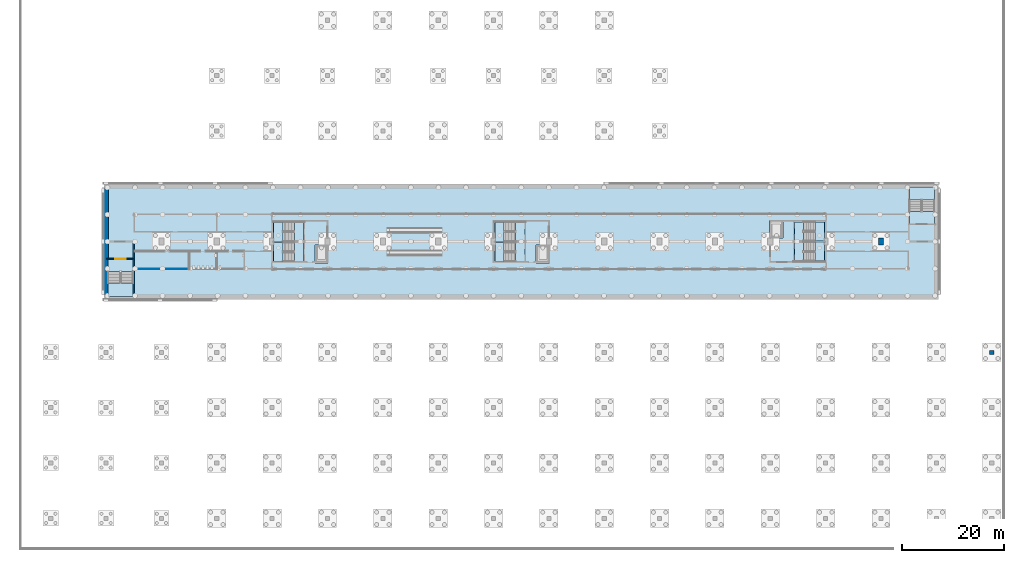
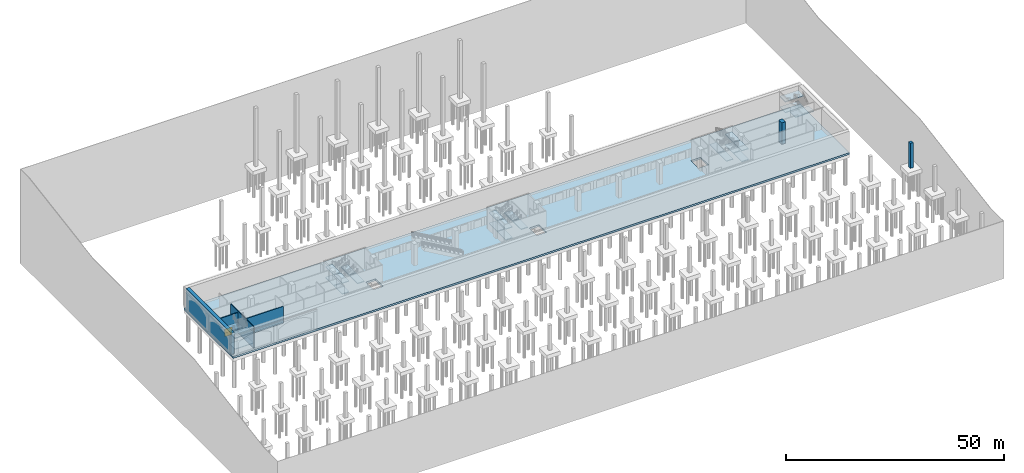
# One storey, part 5 of 39: 25 slabs, 4 walls, 2 columns, 1 door, 1 opening, 8 elements without a shape of their own.
"""IFC4 building model written with IfcOpenShell, lengths in metres."""

from ifc_helpers import new_model, si_unit, direction, frame, frame_2d, origin, origin_2d, place, context, subcontext, project, spatial, polyline, rectangle, outline, extrude, material, layer, layer_set, material_profile, profile_set, type_object, element, fill, aggregate, save


model = new_model("IFC4")

# Units and contexts
model_context = context("Model", 3, precision=1e-05, world=origin(), true_north=direction((0.0, 1.0)))
body_context = subcontext(model_context, "Body", "Model", "MODEL_VIEW")
ifc_project = project(units=[si_unit("LENGTHUNIT", "METRE"), si_unit("AREAUNIT", "SQUARE_METRE"), si_unit("VOLUMEUNIT", "CUBIC_METRE"), si_unit("PLANEANGLEUNIT", "RADIAN"), si_unit("MASSUNIT", "GRAM", prefix="KILO")], contexts=[model_context])

# Site, building, storey
site_placement = place(None, origin())
site = spatial("IfcSite", under=ifc_project, at=site_placement, CompositionType="ELEMENT")
building_placement = place(site_placement, origin())
building = spatial("IfcBuilding", under=site, at=building_placement, Name="Magnolia Steps Interchange", CompositionType="ELEMENT")
storey_placement = place(building_placement, frame((0.0, 0.0, -11.39990234375)))
storey = spatial("IfcBuildingStorey", under=building, at=storey_placement, Name="B2", CompositionType="ELEMENT", Elevation=-11.39990234375)

# Columns
ifc_material_1 = material(Name="Concrete C40", Category="concrete")
ifc_material_profile_1 = material_profile(ifc_material_1, rectangle(XDim=0.800048828125, YDim=0.800048828125, at=origin_2d()), Name="RC800x800")
ifc_profile_set_1 = profile_set([ifc_material_profile_1], Name="Concrete C40")
column_type_1 = type_object("IfcColumnType", Name="Foundation pier 800x800", PredefinedType="COLUMN", material=ifc_profile_set_1)
column_1_placement = place(storey_placement, frame((193.60009765625, 42.39990234375, -1.400146484375), z_axis=(0.0, 0.0, 1.0), x_axis=(1.0, 0.0, 0.0)))
element("IfcColumn", 1, at=column_1_placement, inside=storey, type_object=column_type_1, Name="Foundation pier COV-18D", PredefinedType="COLUMN", context=body_context, shape_type="SweptSolid", body=[
    extrude(rectangle(XDim=0.800048828125, YDim=0.800048828125, at=origin_2d()), origin(), (0.0, 0.0, 1.0), 7.0),
])
ifc_material_2 = material(Name="Concrete C40", Category="concrete")
ifc_material_profile_2 = material_profile(ifc_material_2, rectangle(XDim=1.0, YDim=1.39990234375, at=origin_2d()), Name="RC1000x1400")
ifc_profile_set_2 = profile_set([ifc_material_profile_2], Name="Concrete C40")
column_type_2 = type_object("IfcColumnType", Name="RC column 1000x1400", PredefinedType="COLUMN", material=ifc_profile_set_2)
column_2_placement = place(storey_placement, frame((172.0, 64.0, -1.400146484375), z_axis=(0.0, 0.0, 1.0), x_axis=(1.0, 0.0, 0.0)))
element("IfcColumn", 2, at=column_2_placement, inside=storey, type_object=column_type_2, Name="Column MET-16F B2", PredefinedType="COLUMN", context=body_context, shape_type="SweptSolid", body=[
    extrude(rectangle(XDim=1.0, YDim=1.39990234375, at=origin_2d()), origin(), (0.0, 0.0, 1.0), 7.400146484375),
])

# Slab
ifc_material_3 = material(Name="Concrete C40", Category="concrete")
ifc_layer_1 = layer(ifc_material_3, 0.5)
ifc_layer_set_1 = layer_set([ifc_layer_1], Name="Base slab 500")
slab_type_1 = type_object("IfcSlabType", Name="Base slab 500", PredefinedType="BASESLAB", material=ifc_layer_set_1)
slab_1_placement = place(storey_placement, frame((0.0, 0.0, -0.5)))
element("IfcSlab", 3, at=slab_1_placement, inside=storey, type_object=slab_type_1, Name="Metro box base slab", PredefinedType="BASESLAB", context=body_context, shape_type="SweptSolid", body=[
    extrude(outline(polyline([(20.35009765625, 52.75), (183.25, 52.75), (183.25, 75.25), (20.35009765625, 75.25), (20.35009765625, 52.75)]), holes=[polyline([(64.125, 63.324951171875), (61.52490234375, 63.324951171875), (61.52490234375, 59.875), (64.125, 59.875), (64.125, 63.324951171875)]), polyline([(107.324951171875, 63.324951171875), (104.72509765625, 63.324951171875), (104.72509765625, 59.875), (107.324951171875, 59.875), (107.324951171875, 63.324951171875)]), polyline([(150.27490234375, 64.675048828125), (152.875, 64.675048828125), (152.875, 68.125), (150.27490234375, 68.125), (150.27490234375, 64.675048828125)])]), origin(), (0.0, 0.0, 1.0), 0.5),
])

# Stair, slabs
ifc_material_4 = material(Name="Concrete C40", Category="concrete")
stair_type_1 = type_object("IfcStairType", Name="Exit stair 1800", PredefinedType="HALF_TURN_STAIR", material=ifc_material_4)
stair_1_placement = place(storey_placement, origin())
stair_1 = element("IfcStair", 4, at=stair_1_placement, inside=storey, type_object=stair_type_1, Name="B2 Stair 9", PredefinedType="HALF_TURN_STAIR")
ifc_material_5 = material(Name="Concrete C40", Category="concrete")
ifc_layer_2 = layer(ifc_material_5, 0.199951171875)
ifc_layer_set_2 = layer_set([ifc_layer_2], Name="Exit stair landing 200")
slab_type_2 = type_object("IfcSlabType", Name="Exit stair landing 200", PredefinedType="LANDING", material=ifc_layer_set_2)
slab_2_placement = place(storey_placement, frame((0.0, 0.0, 1.2998046875)))
slab_2 = element("IfcSlab", 5, at=slab_2_placement, type_object=slab_type_2, Name="Stair 9 landing 1", PredefinedType="LANDING", context=body_context, shape_type="SweptSolid", body=[
    extrude(outline(polyline([(55.284912109375, 63.875), (55.284912109375, 60.125), (53.449951171875, 60.125), (53.449951171875, 63.875), (55.284912109375, 63.875)])), origin(), (0.0, 0.0, 1.0), 0.2001953125),
])
slab_3_placement = place(storey_placement, frame((0.0, 0.0, 2.7998046875)))
slab_3 = element("IfcSlab", 6, at=slab_3_placement, type_object=slab_type_2, Name="Stair 9 landing 2", PredefinedType="LANDING", context=body_context, shape_type="SweptSolid", body=[
    extrude(outline(polyline([(59.324951171875, 63.875), (57.52490234375, 63.875), (57.52490234375, 60.125), (59.324951171875, 60.125), (59.324951171875, 63.875)])), origin(), (0.0, 0.0, 1.0), 0.2001953125),
])
slab_4_placement = place(storey_placement, frame((0.0, 0.0, 4.2998046875)))
slab_4 = element("IfcSlab", 7, at=slab_4_placement, type_object=slab_type_2, Name="Stair 9 landing 3", PredefinedType="LANDING", context=body_context, shape_type="SweptSolid", body=[
    extrude(outline(polyline([(55.284912109375, 63.875), (55.284912109375, 60.125), (53.449951171875, 60.125), (53.449951171875, 63.875), (55.284912109375, 63.875)])), origin(), (0.0, 0.0, 1.0), 0.2001953125),
])
aggregate(stair_1, [slab_2, slab_3, slab_4])

stair_2_placement = place(storey_placement, origin())
stair_2 = element("IfcStair", 8, at=stair_2_placement, inside=storey, type_object=stair_type_1, Name="B2 Stair 10", PredefinedType="HALF_TURN_STAIR")
slab_5_placement = place(storey_placement, frame((0.0, 0.0, 1.2998046875)))
slab_5 = element("IfcSlab", 9, at=slab_5_placement, type_object=slab_type_2, Name="Stair 10 landing 1", PredefinedType="LANDING", context=body_context, shape_type="SweptSolid", body=[
    extrude(outline(polyline([(55.284912109375, 67.824951171875), (55.284912109375, 64.074951171875), (53.449951171875, 64.074951171875), (53.449951171875, 67.824951171875), (55.284912109375, 67.824951171875)])), origin(), (0.0, 0.0, 1.0), 0.2001953125),
])
slab_6_placement = place(storey_placement, frame((0.0, 0.0, 2.7998046875)))
slab_6 = element("IfcSlab", 10, at=slab_6_placement, type_object=slab_type_2, Name="Stair 10 landing 2", PredefinedType="LANDING", context=body_context, shape_type="SweptSolid", body=[
    extrude(outline(polyline([(59.324951171875, 67.824951171875), (57.52490234375, 67.824951171875), (57.52490234375, 64.074951171875), (59.324951171875, 64.074951171875), (59.324951171875, 67.824951171875)])), origin(), (0.0, 0.0, 1.0), 0.2001953125),
])
slab_7_placement = place(storey_placement, frame((0.0, 0.0, 4.2998046875)))
slab_7 = element("IfcSlab", 11, at=slab_7_placement, type_object=slab_type_2, Name="Stair 10 landing 3", PredefinedType="LANDING", context=body_context, shape_type="SweptSolid", body=[
    extrude(outline(polyline([(55.284912109375, 67.824951171875), (55.284912109375, 64.074951171875), (53.449951171875, 64.074951171875), (53.449951171875, 67.824951171875), (55.284912109375, 67.824951171875)])), origin(), (0.0, 0.0, 1.0), 0.2001953125),
])
aggregate(stair_2, [slab_5, slab_6, slab_7])

stair_3_placement = place(storey_placement, origin())
stair_3 = element("IfcStair", 12, at=stair_3_placement, inside=storey, type_object=stair_type_1, Name="B2 Stair 11", PredefinedType="HALF_TURN_STAIR")
slab_8_placement = place(storey_placement, frame((0.0, 0.0, 1.2998046875)))
slab_8 = element("IfcSlab", 13, at=slab_8_placement, type_object=slab_type_2, Name="Stair 11 landing 1", PredefinedType="LANDING", context=body_context, shape_type="SweptSolid", body=[
    extrude(outline(polyline([(98.485107421875, 63.875), (98.485107421875, 60.125), (96.64990234375, 60.125), (96.64990234375, 63.875), (98.485107421875, 63.875)])), origin(), (0.0, 0.0, 1.0), 0.2001953125),
])
slab_9_placement = place(storey_placement, frame((0.0, 0.0, 2.7998046875)))
slab_9 = element("IfcSlab", 14, at=slab_9_placement, type_object=slab_type_2, Name="Stair 11 landing 2", PredefinedType="LANDING", context=body_context, shape_type="SweptSolid", body=[
    extrude(outline(polyline([(102.52490234375, 63.875), (100.72509765625, 63.875), (100.72509765625, 60.125), (102.52490234375, 60.125), (102.52490234375, 63.875)])), origin(), (0.0, 0.0, 1.0), 0.2001953125),
])
slab_10_placement = place(storey_placement, frame((0.0, 0.0, 4.2998046875)))
slab_10 = element("IfcSlab", 15, at=slab_10_placement, type_object=slab_type_2, Name="Stair 11 landing 3", PredefinedType="LANDING", context=body_context, shape_type="SweptSolid", body=[
    extrude(outline(polyline([(98.485107421875, 63.875), (98.485107421875, 60.125), (96.64990234375, 60.125), (96.64990234375, 63.875), (98.485107421875, 63.875)])), origin(), (0.0, 0.0, 1.0), 0.2001953125),
])
aggregate(stair_3, [slab_8, slab_9, slab_10])

stair_4_placement = place(storey_placement, origin())
stair_4 = element("IfcStair", 16, at=stair_4_placement, inside=storey, type_object=stair_type_1, Name="B2 Stair 12", PredefinedType="HALF_TURN_STAIR")
slab_11_placement = place(storey_placement, frame((0.0, 0.0, 1.2998046875)))
slab_11 = element("IfcSlab", 17, at=slab_11_placement, type_object=slab_type_2, Name="Stair 12 landing 1", PredefinedType="LANDING", context=body_context, shape_type="SweptSolid", body=[
    extrude(outline(polyline([(98.485107421875, 67.824951171875), (98.485107421875, 64.074951171875), (96.64990234375, 64.074951171875), (96.64990234375, 67.824951171875), (98.485107421875, 67.824951171875)])), origin(), (0.0, 0.0, 1.0), 0.2001953125),
])
slab_12_placement = place(storey_placement, frame((0.0, 0.0, 2.7998046875)))
slab_12 = element("IfcSlab", 18, at=slab_12_placement, type_object=slab_type_2, Name="Stair 12 landing 2", PredefinedType="LANDING", context=body_context, shape_type="SweptSolid", body=[
    extrude(outline(polyline([(102.52490234375, 67.824951171875), (100.72509765625, 67.824951171875), (100.72509765625, 64.074951171875), (102.52490234375, 64.074951171875), (102.52490234375, 67.824951171875)])), origin(), (0.0, 0.0, 1.0), 0.2001953125),
])
slab_13_placement = place(storey_placement, frame((0.0, 0.0, 4.2998046875)))
slab_13 = element("IfcSlab", 19, at=slab_13_placement, type_object=slab_type_2, Name="Stair 12 landing 3", PredefinedType="LANDING", context=body_context, shape_type="SweptSolid", body=[
    extrude(outline(polyline([(98.485107421875, 67.824951171875), (98.485107421875, 64.074951171875), (96.64990234375, 64.074951171875), (96.64990234375, 67.824951171875), (98.485107421875, 67.824951171875)])), origin(), (0.0, 0.0, 1.0), 0.2001953125),
])
aggregate(stair_4, [slab_11, slab_12, slab_13])

stair_5_placement = place(storey_placement, origin())
stair_5 = element("IfcStair", 20, at=stair_5_placement, inside=storey, type_object=stair_type_1, Name="B2 Stair 13", PredefinedType="HALF_TURN_STAIR")
slab_14_placement = place(storey_placement, frame((0.0, 0.0, 1.2998046875)))
slab_14 = element("IfcSlab", 21, at=slab_14_placement, type_object=slab_type_2, Name="Stair 13 landing 1", PredefinedType="LANDING", context=body_context, shape_type="SweptSolid", body=[
    extrude(outline(polyline([(159.114990234375, 64.125), (159.114990234375, 67.875), (160.949951171875, 67.875), (160.949951171875, 64.125), (159.114990234375, 64.125)])), origin(), (0.0, 0.0, 1.0), 0.2001953125),
])
slab_15_placement = place(storey_placement, frame((0.0, 0.0, 2.7998046875)))
slab_15 = element("IfcSlab", 22, at=slab_15_placement, type_object=slab_type_2, Name="Stair 13 landing 2", PredefinedType="LANDING", context=body_context, shape_type="SweptSolid", body=[
    extrude(outline(polyline([(155.074951171875, 64.125), (156.875, 64.125), (156.875, 67.875), (155.074951171875, 67.875), (155.074951171875, 64.125)])), origin(), (0.0, 0.0, 1.0), 0.2001953125),
])
slab_16_placement = place(storey_placement, frame((0.0, 0.0, 4.2998046875)))
slab_16 = element("IfcSlab", 23, at=slab_16_placement, type_object=slab_type_2, Name="Stair 13 landing 3", PredefinedType="LANDING", context=body_context, shape_type="SweptSolid", body=[
    extrude(outline(polyline([(159.114990234375, 64.125), (159.114990234375, 67.875), (160.949951171875, 67.875), (160.949951171875, 64.125), (159.114990234375, 64.125)])), origin(), (0.0, 0.0, 1.0), 0.2001953125),
])
aggregate(stair_5, [slab_14, slab_15, slab_16])

stair_6_placement = place(storey_placement, origin())
stair_6 = element("IfcStair", 24, at=stair_6_placement, inside=storey, type_object=stair_type_1, Name="B2 Stair 14", PredefinedType="HALF_TURN_STAIR")
slab_17_placement = place(storey_placement, frame((0.0, 0.0, 1.2998046875)))
slab_17 = element("IfcSlab", 25, at=slab_17_placement, type_object=slab_type_2, Name="Stair 14 landing 1", PredefinedType="LANDING", context=body_context, shape_type="SweptSolid", body=[
    extrude(outline(polyline([(159.114990234375, 60.175048828125), (159.114990234375, 63.925048828125), (160.949951171875, 63.925048828125), (160.949951171875, 60.175048828125), (159.114990234375, 60.175048828125)])), origin(), (0.0, 0.0, 1.0), 0.2001953125),
])
slab_18_placement = place(storey_placement, frame((0.0, 0.0, 2.7998046875)))
slab_18 = element("IfcSlab", 26, at=slab_18_placement, type_object=slab_type_2, Name="Stair 14 landing 2", PredefinedType="LANDING", context=body_context, shape_type="SweptSolid", body=[
    extrude(outline(polyline([(155.074951171875, 60.175048828125), (156.875, 60.175048828125), (156.875, 63.925048828125), (155.074951171875, 63.925048828125), (155.074951171875, 60.175048828125)])), origin(), (0.0, 0.0, 1.0), 0.2001953125),
])
slab_19_placement = place(storey_placement, frame((0.0, 0.0, 4.2998046875)))
slab_19 = element("IfcSlab", 27, at=slab_19_placement, type_object=slab_type_2, Name="Stair 14 landing 3", PredefinedType="LANDING", context=body_context, shape_type="SweptSolid", body=[
    extrude(outline(polyline([(159.114990234375, 60.175048828125), (159.114990234375, 63.925048828125), (160.949951171875, 63.925048828125), (160.949951171875, 60.175048828125), (159.114990234375, 60.175048828125)])), origin(), (0.0, 0.0, 1.0), 0.2001953125),
])
aggregate(stair_6, [slab_17, slab_18, slab_19])

ifc_material_6 = material(Name="Concrete C40", Category="concrete")
stair_type_2 = type_object("IfcStairType", Name="Exit stair 2400", PredefinedType="HALF_TURN_STAIR", material=ifc_material_6)
stair_7_placement = place(storey_placement, origin())
stair_7 = element("IfcStair", 28, at=stair_7_placement, inside=storey, type_object=stair_type_2, Name="B2 Stair 15", PredefinedType="HALF_TURN_STAIR")
slab_20_placement = place(storey_placement, frame((0.0, 0.0, 1.2998046875)))
slab_20 = element("IfcSlab", 29, at=slab_20_placement, type_object=slab_type_2, Name="Stair 15 landing 1", PredefinedType="LANDING", context=body_context, shape_type="SweptSolid", body=[
    extrude(outline(polyline([(21.175048828125, 55.885009765625), (21.175048828125, 53.324951171875), (26.074951171875, 53.324951171875), (26.074951171875, 55.885009765625), (21.175048828125, 55.885009765625)])), origin(), (0.0, 0.0, 1.0), 0.2001953125),
])
slab_21_placement = place(storey_placement, frame((0.0, 0.0, 2.7998046875)))
slab_21 = element("IfcSlab", 30, at=slab_21_placement, type_object=slab_type_2, Name="Stair 15 landing 2", PredefinedType="LANDING", context=body_context, shape_type="SweptSolid", body=[
    extrude(outline(polyline([(21.175048828125, 60.52490234375), (21.175048828125, 58.125), (26.074951171875, 58.125), (26.074951171875, 60.52490234375), (21.175048828125, 60.52490234375)])), origin(), (0.0, 0.0, 1.0), 0.2001953125),
])
slab_22_placement = place(storey_placement, frame((0.0, 0.0, 4.2998046875)))
slab_22 = element("IfcSlab", 31, at=slab_22_placement, type_object=slab_type_2, Name="Stair 15 landing 3", PredefinedType="LANDING", context=body_context, shape_type="SweptSolid", body=[
    extrude(outline(polyline([(21.175048828125, 55.885009765625), (21.175048828125, 53.324951171875), (26.074951171875, 53.324951171875), (26.074951171875, 55.885009765625), (21.175048828125, 55.885009765625)])), origin(), (0.0, 0.0, 1.0), 0.2001953125),
])
aggregate(stair_7, [slab_20, slab_21, slab_22])

stair_8_placement = place(storey_placement, origin())
stair_8 = element("IfcStair", 32, at=stair_8_placement, inside=storey, type_object=stair_type_2, Name="B2 Stair 16", PredefinedType="HALF_TURN_STAIR")
slab_23_placement = place(storey_placement, frame((0.0, 0.0, 1.2998046875)))
slab_23 = element("IfcSlab", 33, at=slab_23_placement, type_object=slab_type_2, Name="Stair 16 landing 1", PredefinedType="LANDING", context=body_context, shape_type="SweptSolid", body=[
    extrude(outline(polyline([(182.425048828125, 72.114990234375), (182.425048828125, 74.675048828125), (177.52490234375, 74.675048828125), (177.52490234375, 72.114990234375), (182.425048828125, 72.114990234375)])), origin(), (0.0, 0.0, 1.0), 0.2001953125),
])
slab_24_placement = place(storey_placement, frame((0.0, 0.0, 2.7998046875)))
slab_24 = element("IfcSlab", 34, at=slab_24_placement, type_object=slab_type_2, Name="Stair 16 landing 2", PredefinedType="LANDING", context=body_context, shape_type="SweptSolid", body=[
    extrude(outline(polyline([(182.425048828125, 67.47509765625), (182.425048828125, 69.875), (177.52490234375, 69.875), (177.52490234375, 67.47509765625), (182.425048828125, 67.47509765625)])), origin(), (0.0, 0.0, 1.0), 0.2001953125),
])
slab_25_placement = place(storey_placement, frame((0.0, 0.0, 4.2998046875)))
slab_25 = element("IfcSlab", 35, at=slab_25_placement, type_object=slab_type_2, Name="Stair 16 landing 3", PredefinedType="LANDING", context=body_context, shape_type="SweptSolid", body=[
    extrude(outline(polyline([(182.425048828125, 72.114990234375), (182.425048828125, 74.675048828125), (177.52490234375, 74.675048828125), (177.52490234375, 72.114990234375), (182.425048828125, 72.114990234375)])), origin(), (0.0, 0.0, 1.0), 0.2001953125),
])
aggregate(stair_8, [slab_23, slab_24, slab_25])

# Wall, opening, door
ifc_material_7 = material(Name="Concrete C35", Category="concrete")
ifc_layer_3 = layer(ifc_material_7, 0.199951171875)
ifc_layer_set_3 = layer_set([ifc_layer_3], Name="Core enclosure wall 200")
wall_type_1 = type_object("IfcWallType", Name="Core enclosure wall 200", PredefinedType="SOLIDWALL", material=ifc_layer_set_3)
wall_1_placement = place(storey_placement, frame((26.074951171875, 60.625, 0.0), z_axis=(0.0, 0.0, 1.0), x_axis=(-1.0, 0.0, 0.0)))
wall_1 = element("IfcWall", 36, at=wall_1_placement, inside=storey, type_object=wall_type_1, Name="B2 BE-W enclosure wall", PredefinedType="SOLIDWALL", context=body_context, shape_type="SweptSolid", body=[
    extrude(rectangle(XDim=5.14990234375, YDim=0.199951171875, at=frame_2d((2.574951171875, 0.0))), origin(), (0.0, 0.0, 1.0), 5.599853515625),
])
opening_placement = place(wall_1_placement, frame((1.449951171875, 0.0, 0.0)))
opening = element("IfcOpeningElement", 37, at=opening_placement, cuts=wall_1, Name="Opening D-BE-W-B2-1", PredefinedType="OPENING", context=body_context, shape_type="SweptSolid", body=[
    extrude(rectangle(XDim=2.0, YDim=2.10009765625, at=frame_2d((1.0, 1.050048828125))), frame((0.0, 0.10986328125, 0.0), z_axis=(0.0, -1.0, 0.0), x_axis=(1.0, 0.0, 0.0)), (0.0, 0.0, 1.0), 0.219970703125),
])
ifc_material_8 = material(Name="Painted steel", Category="steel")
door_type = type_object("IfcDoorType", Name="Stair fire door pair 2000x2100", OperationType="DOUBLE_DOOR_DOUBLE_SWING", PredefinedType="DOOR", material=ifc_material_8)
door_placement = place(opening_placement, frame((2.0, 0.0, 0.0), z_axis=(0.0, 0.0, 1.0), x_axis=(-1.0, 0.0, 0.0)))
door = element("IfcDoor", 38, at=door_placement, inside=storey, type_object=door_type, Name="Stair door ST15 B2", OperationType="DOUBLE_DOOR_DOUBLE_SWING", OverallHeight=2.10009765625, OverallWidth=2.0, PredefinedType="DOOR", context=body_context, shape_type="SweptSolid", body=[
    extrude(rectangle(XDim=2.0, YDim=2.10009765625, at=frame_2d((1.0, 1.050048828125))), frame((0.0, 0.02490234375, 0.0), z_axis=(0.0, -1.0, 0.0), x_axis=(1.0, 0.0, 0.0)), (0.0, 0.0, 1.0), 0.050048828125),
])
fill(opening, door)

# Walls
ifc_material_9 = material(Name="Concrete C40", Category="concrete")
ifc_layer_4 = layer(ifc_material_9, 0.25)
ifc_layer_set_4 = layer_set([ifc_layer_4], Name="Core wall 250")
wall_type_2 = type_object("IfcWallType", Name="Core wall 250", PredefinedType="SOLIDWALL", material=ifc_layer_set_4)
wall_2_placement = place(storey_placement, frame((26.199951171875, 53.324951171875, 0.0), z_axis=(0.0, 0.0, 1.0), x_axis=(0.0, 1.0, 0.0)))
element("IfcWall", 39, at=wall_2_placement, inside=storey, type_object=wall_type_2, Name="Core wall BE-W", PredefinedType="SOLIDWALL", context=body_context, shape_type="SweptSolid", body=[
    extrude(rectangle(XDim=10.550048828125, YDim=0.25, at=frame_2d((5.27490234375, 0.0))), origin(), (0.0, 0.0, 1.0), 6.0),
])
ifc_material_10 = material(Name="Concrete C40", Category="concrete")
ifc_layer_5 = layer(ifc_material_10, 0.89990234375)
ifc_layer_set_5 = layer_set([ifc_layer_5], Name="Diaphragm wall 900")
wall_type_3 = type_object("IfcWallType", Name="Diaphragm wall 900", PredefinedType="SOLIDWALL", material=ifc_layer_set_5)
wall_3_placement = place(storey_placement, frame((20.800048828125, 74.35009765625, 0.0), z_axis=(0.0, 0.0, 1.0), x_axis=(0.0, -1.0, 0.0)))
element("IfcWall", 40, at=wall_3_placement, inside=storey, type_object=wall_type_3, Name="Metro box wall W", PredefinedType="SOLIDWALL", context=body_context, shape_type="SweptSolid", body=[
    extrude(rectangle(XDim=20.7001953125, YDim=0.89990234375, at=frame_2d((10.35009765625, 0.0))), origin(), (0.0, 0.0, 1.0), 6.0),
])
ifc_material_11 = material(Name="Fair-faced blockwork", Category="masonry")
ifc_layer_6 = layer(ifc_material_11, 0.14990234375)
ifc_layer_set_6 = layer_set([ifc_layer_6], Name="Partition wall 150")
wall_type_4 = type_object("IfcWallType", Name="Partition wall 150", PredefinedType="PARTITIONING", material=ifc_layer_set_6)
wall_4_placement = place(storey_placement, frame((26.35498046875, 58.675048828125, 0.0), z_axis=(0.0, 0.0, 1.0), x_axis=(1.0, 0.0, 0.0)))
element("IfcWall", 41, at=wall_4_placement, inside=storey, type_object=wall_type_4, Name="B2 partition 8", PredefinedType="PARTITIONING", context=body_context, shape_type="SweptSolid", body=[
    extrude(rectangle(XDim=10.64501953125, YDim=0.14990234375, at=frame_2d((5.322509765625, 0.0))), origin(), (0.0, 0.0, 1.0), 4.699951171875),
])

save(model, "model.ifc")
